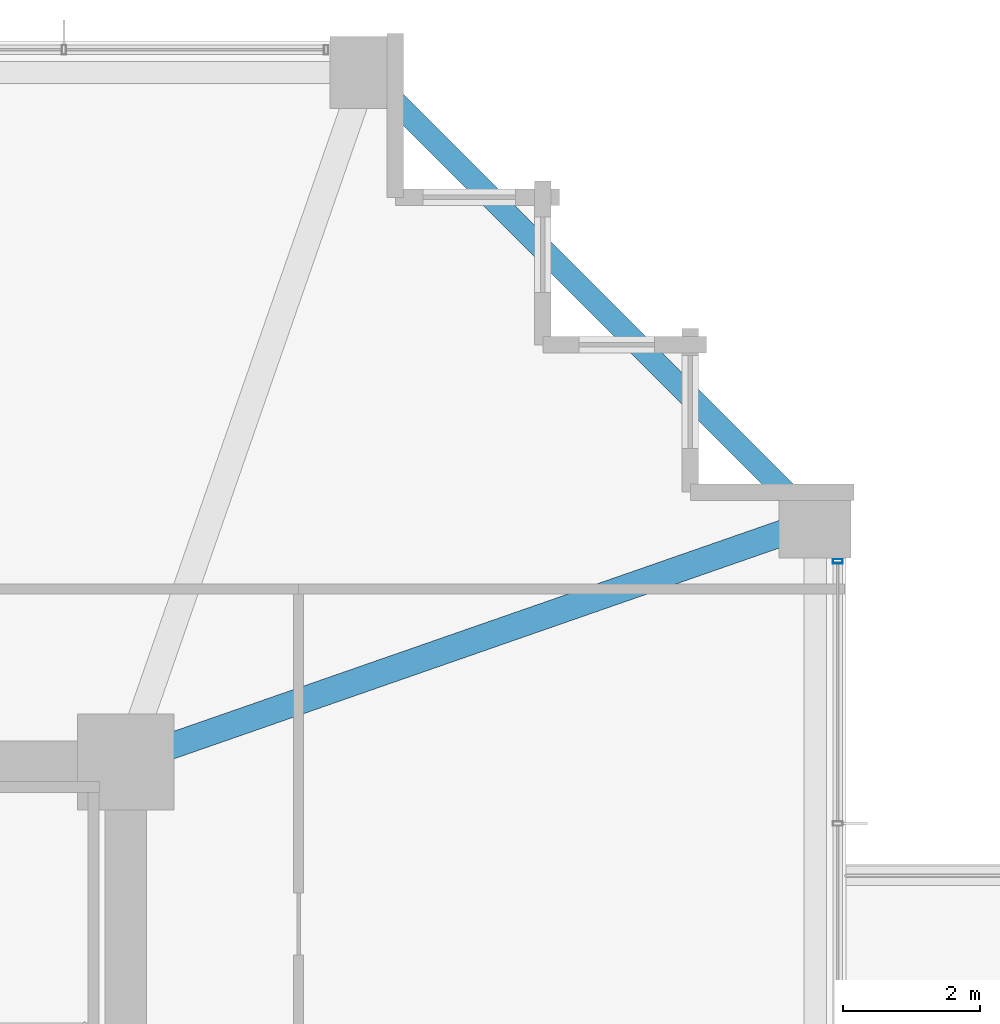
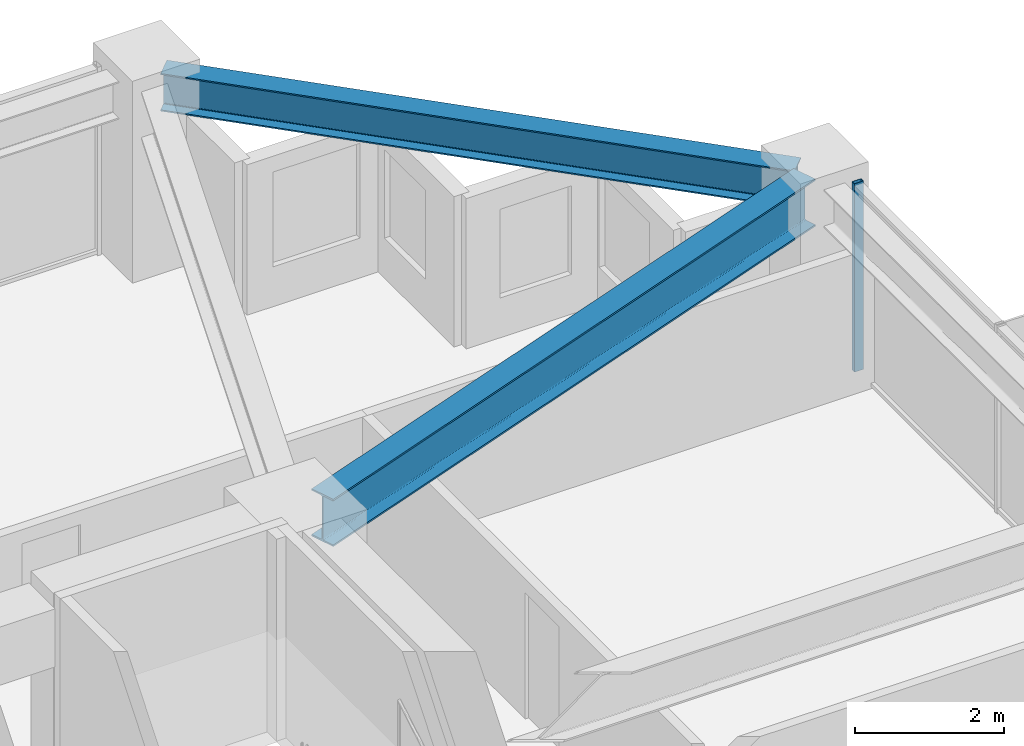
# One storey, part 23 of 36: 2 beams, 1 member, 1 element without a shape of its own.
"""IFC4 building model written with IfcOpenShell, lengths in metres."""

import ifcopenshell
import ifcopenshell.guid

model = None  # the IFC model being written
_history = None  # IfcOwnerHistory: only IFC2X3 demands one
_inside = {}  # id of a spatial element -> (the spatial element, [elements in it])
_under = {}  # id of a project, library or spatial element -> (it, [spatial elements below it])
_declared = {}  # id of a project -> (the project, [libraries it declares])
_typed = {}  # id of a type object -> (the type object, [elements of that type])
_made_of = {}  # id of a material, layer set ... -> (it, [elements and type objects made of it])


def new_model(schema):
    """Start an empty IFC model of exactly this schema.

    Asked for "IFC4X3", IfcOpenShell would pick the latest addendum, in which some entities
    have other attributes; the version numbers below select the first issue.
    IFC2X3 requires an IfcOwnerHistory on every rooted entity: one is made here for all.
    """
    global model, _history
    if schema == "IFC4X3":
        model = ifcopenshell.file(schema_version=(4, 3, 0, 0))
    else:
        model = ifcopenshell.file(schema=schema)
    _inside.clear()
    _under.clear()
    _declared.clear()
    _typed.clear()
    _made_of.clear()
    _history = None
    if model.schema == "IFC2X3":
        org = make("IfcOrganization", Name="unknown")
        user = make(
            "IfcPersonAndOrganization",
            ThePerson=make("IfcPerson", FamilyName="unknown"),
            TheOrganization=org,
        )
        app = make(
            "IfcApplication",
            ApplicationDeveloper=org,
            Version="unknown",
            ApplicationFullName="unknown",
            ApplicationIdentifier="unknown",
        )
        _history = make(
            "IfcOwnerHistory",
            OwningUser=user,
            OwningApplication=app,
            ChangeAction="ADDED",
            CreationDate=0,
        )
    return model


def make(cls, **values):
    """One entity of the class cls with the attributes given. An attribute that is None is left unset."""
    return model.create_entity(
        cls, **{name: value for name, value in values.items() if value is not None}
    )


def rooted(cls, **values):
    """An entity with a GlobalId (a new one), such as an element, a storey or a relation."""
    return make(cls, GlobalId=ifcopenshell.guid.new(), OwnerHistory=_history, **values)


def si_unit(unit_type, name, prefix=None):
    """IfcSIUnit, for example si_unit("LENGTHUNIT", "METRE", prefix="MILLI")."""
    return make("IfcSIUnit", UnitType=unit_type, Prefix=prefix, Name=name)


def assignment(units):
    """IfcUnitAssignment: the units of a project."""
    return None if units is None else make("IfcUnitAssignment", Units=units)


def point(xyz):
    """IfcCartesianPoint."""
    return None if xyz is None else make("IfcCartesianPoint", Coordinates=xyz)


def direction(xyz):
    """IfcDirection."""
    return None if xyz is None else make("IfcDirection", DirectionRatios=xyz)


def frame(location, z_axis=None, x_axis=None):
    """IfcAxis2Placement3D, a coordinate frame: its origin and axes. An axis left out is left unset."""
    return make(
        "IfcAxis2Placement3D",
        Location=point(location),
        Axis=direction(z_axis),
        RefDirection=direction(x_axis),
    )


def frame_2d(location, x_axis=None):
    """IfcAxis2Placement2D, a coordinate frame in the plane: its origin and x axis."""
    return make(
        "IfcAxis2Placement2D", Location=point(location), RefDirection=direction(x_axis)
    )


def origin():
    """The frame at (0, 0, 0) with its axes left unset."""
    return frame((0.0, 0.0, 0.0))


def origin_2d():
    """The frame at (0, 0) in the plane with its x axis left unset."""
    return frame_2d((0.0, 0.0))


def place(relative_to, where):
    """IfcLocalPlacement: puts the frame where relative to a parent placement (None: the world)."""
    return make(
        "IfcLocalPlacement", PlacementRelTo=relative_to, RelativePlacement=where
    )


def context(
    kind, dimensions, precision=None, world=None, true_north=None, identifier=None
):
    """IfcGeometricRepresentationContext, for example the 3D "Model" context."""
    return make(
        "IfcGeometricRepresentationContext",
        ContextIdentifier=identifier,
        ContextType=kind,
        CoordinateSpaceDimension=dimensions,
        Precision=precision,
        WorldCoordinateSystem=world,
        TrueNorth=true_north,
    )


def subcontext(parent, identifier, kind, view, scale=None):
    """IfcGeometricRepresentationSubContext, for example "Body" below "Model"."""
    return make(
        "IfcGeometricRepresentationSubContext",
        ContextIdentifier=identifier,
        ContextType=kind,
        ParentContext=parent,
        TargetScale=scale,
        TargetView=view,
    )


def project(units=None, contexts=None):
    """IfcProject with its units and contexts."""
    return rooted(
        "IfcProject",
        Name="project",
        RepresentationContexts=contexts,
        UnitsInContext=assignment(units),
    )


def spatial(cls, under=None, at=None, **own):
    """A site, building, storey or space (cls), placed at a placement, below another one or the project."""
    s = rooted(cls, ObjectPlacement=at, **own)
    if under is not None:
        _under.setdefault(under.id(), (under, []))[1].append(s)
    return s


def profile(cls, at=None, kind="AREA", **sizes):
    """A parametric profile (cls). Its sizes go by their IFC names, for example OverallWidth=200.0."""
    return make(cls, ProfileType=kind, Position=at, **sizes)


def hollow_rectangle(**sizes):
    """IfcRectangleHollowProfileDef."""
    return profile("IfcRectangleHollowProfileDef", **sizes)


def i_section(**sizes):
    """IfcIShapeProfileDef."""
    return profile("IfcIShapeProfileDef", **sizes)


def extrude(swept, where, along, depth):
    """IfcExtrudedAreaSolid: the profile swept, set in the frame where, extruded along a direction by depth."""
    return make(
        "IfcExtrudedAreaSolid",
        SweptArea=swept,
        Position=where,
        ExtrudedDirection=direction(along),
        Depth=depth,
    )


def shape(context_of_items, identifier, shape_type, items):
    """IfcShapeRepresentation: the items that make up one representation, for example the "Body"."""
    return make(
        "IfcShapeRepresentation",
        ContextOfItems=context_of_items,
        RepresentationIdentifier=identifier,
        RepresentationType=shape_type,
        Items=items,
    )


def material(Name=None, Category=None):
    """IfcMaterial."""
    return make("IfcMaterial", Name=Name, Category=Category)


def material_profile(
    of_material, cross_section, Name=None, Category=None, Priority=None
):
    """IfcMaterialProfile: a cross section and its material."""
    return make(
        "IfcMaterialProfile",
        Name=Name,
        Material=of_material,
        Profile=cross_section,
        Priority=Priority,
        Category=Category,
    )


def profile_set(profiles, Name=None, composite=None):
    """IfcMaterialProfileSet."""
    return make(
        "IfcMaterialProfileSet",
        Name=Name,
        MaterialProfiles=profiles,
        CompositeProfile=composite,
    )


def made_of(thing, what):
    """Note that an element or type object is made of a material, layer set ...; save() writes the relation."""
    if what is not None:
        _made_of.setdefault(what.id(), (what, []))[1].append(thing)
    return thing


def type_object(cls, material=None, **own):
    """A type object (cls), such as IfcWallType, which elements share."""
    return made_of(rooted(cls, **own), material)


def element(
    cls,
    number,
    at=None,
    inside=None,
    cuts=None,
    type_object=None,
    material=None,
    context=None,
    identifier="Body",
    shape_type=None,
    held_by="IfcProductDefinitionShape",
    body=None,
    shapes=None,
    **own,
):
    """One element of the class cls, such as IfcWall. Its Tag is "e" and its number.

    at: its placement. inside: the storey or other place that contains it. cuts: it is an
    opening in that element (IfcRelVoidsElement). A single representation is given by context,
    identifier, shape_type and body (its items); several are given by shapes. held_by: the class
    of the entity that holds the representations. save() writes the other relations.
    """
    e = rooted(cls, Tag="e%d" % number, ObjectPlacement=at, **own)
    if body is not None:
        shapes = [shape(context, identifier, shape_type, body)]
    if shapes is not None:
        e.Representation = make(held_by, Representations=shapes)
    if inside is not None:
        _inside.setdefault(inside.id(), (inside, []))[1].append(e)
    if cuts is not None:
        rooted(
            "IfcRelVoidsElement", RelatingBuildingElement=cuts, RelatedOpeningElement=e
        )
    if type_object is not None:
        _typed.setdefault(type_object.id(), (type_object, []))[1].append(e)
    return made_of(e, material)


def aggregate(whole, parts):
    """IfcRelAggregates: a whole, such as a stair, and the parts it consists of."""
    return rooted("IfcRelAggregates", RelatingObject=whole, RelatedObjects=parts)


def save(model, path):
    """Write the relations noted so far, then the file.

    IfcRelAggregates (storeys below a building ...), IfcRelContainedInSpatialStructure (elements
    in a storey), IfcRelDefinesByType, IfcRelAssociatesMaterial and IfcRelDeclares: one each for
    every whole, place, type object, material and project.
    """
    for whole, parts in _under.values():
        aggregate(whole, parts)
    for where, things in _inside.values():
        rooted(
            "IfcRelContainedInSpatialStructure",
            RelatedElements=things,
            RelatingStructure=where,
        )
    for kind, things in _typed.values():
        rooted("IfcRelDefinesByType", RelatedObjects=things, RelatingType=kind)
    for what, things in _made_of.values():
        rooted("IfcRelAssociatesMaterial", RelatedObjects=things, RelatingMaterial=what)
    for by, libraries in _declared.values():
        rooted("IfcRelDeclares", RelatingContext=by, RelatedDefinitions=libraries)
    model.write(path)


model = new_model("IFC4")

# Units and contexts
model_context = context("Model", 3, precision=1e-05, world=origin(), true_north=direction((0.0, 1.0)))
body_context = subcontext(model_context, "Body", "Model", "MODEL_VIEW")
ifc_project = project(units=[si_unit("LENGTHUNIT", "METRE"), si_unit("AREAUNIT", "SQUARE_METRE"), si_unit("VOLUMEUNIT", "CUBIC_METRE"), si_unit("PLANEANGLEUNIT", "RADIAN"), si_unit("MASSUNIT", "GRAM", prefix="KILO")], contexts=[model_context])

# Site, building, storey
site_placement = place(None, origin())
site = spatial("IfcSite", under=ifc_project, at=site_placement, CompositionType="ELEMENT")
building_placement = place(site_placement, origin())
building = spatial("IfcBuilding", under=site, at=building_placement, Name="Kolvaren Belvedere", CompositionType="ELEMENT")
storey_placement = place(building_placement, frame((0.0, 0.0, 88.699951171875)))
storey = spatial("IfcBuildingStorey", under=building, at=storey_placement, Name="L25", CompositionType="ELEMENT", Elevation=88.699951171875)

# Beams
ifc_material_1 = material(Name="Structural steel ASTM A992 Grade 50", Category="steel")
ifc_material_profile_1 = material_profile(ifc_material_1, i_section(OverallWidth=0.381103515625, OverallDepth=0.77294921875, WebThickness=0.0166015625, FlangeThickness=0.027099609375, FilletRadius=0.02392578125, at=origin_2d()), Name="W30X173")
ifc_profile_set_1 = profile_set([ifc_material_profile_1], Name="Structural steel ASTM A992 Grade 50")
beam_type_1 = type_object("IfcBeamType", Name="BM-GIRD-W30X173", PredefinedType="BEAM", material=ifc_profile_set_1)
beam_1_placement = place(storey_placement, frame((10.41943359375, 10.080810546875, 2.693603515625), z_axis=(0.944371408538, 0.328880894453, 0.0), x_axis=(-0.328880894453, 0.944371408538, 0.0)))
element("IfcBeam", 1, at=beam_1_placement, inside=storey, type_object=beam_type_1, Name="L25 Corner Core-to-Perimeter Girder CC3-E4", PredefinedType="BEAM", context=body_context, shape_type="SweptSolid", body=[
    extrude(i_section(OverallWidth=0.381103515625, OverallDepth=0.77294921875, WebThickness=0.0166015625, FlangeThickness=0.027099609375, FilletRadius=0.02392578125, at=origin_2d()), origin(), (0.0, 0.0, 1.0), 9.882080078125),
])
ifc_material_2 = material(Name="Structural steel ASTM A992 Grade 50", Category="steel")
ifc_material_profile_2 = material_profile(ifc_material_2, i_section(OverallWidth=0.324951171875, OverallDepth=0.615966796875, WebThickness=0.013916015625, FlangeThickness=0.021484375, FilletRadius=0.02001953125, at=origin_2d()), Name="W24X117")
ifc_profile_set_2 = profile_set([ifc_material_profile_2], Name="Structural steel ASTM A992 Grade 50")
beam_type_2 = type_object("IfcBeamType", Name="BM-SPAN-W24X117", PredefinedType="SPANDREL", material=ifc_profile_set_2)
beam_2_placement = place(storey_placement, frame((19.782958984375, 13.567138671875, 2.77197265625), z_axis=(-0.707106781187, 0.707106781187, 0.0), x_axis=(-0.707106781187, -0.707106781187, 0.0)))
element("IfcBeam", 2, at=beam_2_placement, inside=storey, type_object=beam_type_2, Name="L25 Perimeter Spandrel E4-N4", PredefinedType="SPANDREL", context=body_context, shape_type="SweptSolid", body=[
    extrude(i_section(OverallWidth=0.324951171875, OverallDepth=0.615966796875, WebThickness=0.013916015625, FlangeThickness=0.021484375, FilletRadius=0.02001953125, at=origin_2d()), origin(), (0.0, 0.0, 1.0), 8.79052734375),
])

# Curtain wall, member
ifc_material_3 = material(Name="Anodised pale-metal aluminium AA 6063-T6", Category="aluminium")
curtain_wall_type = type_object("IfcCurtainWallType", Name="CW-Z2-MID", PredefinedType="NOTDEFINED", material=ifc_material_3)
curtain_wall_placement = place(storey_placement, origin())
curtain_wall = element("IfcCurtainWall", 3, at=curtain_wall_placement, inside=storey, type_object=curtain_wall_type, Name="L25 Unitised Curtain Wall FCW-L25-E1-B1", PredefinedType="NOTDEFINED")
ifc_material_4 = material(Name="Anodised pale-metal aluminium AA 6063-T6", Category="aluminium")
ifc_material_profile_3 = material_profile(ifc_material_4, hollow_rectangle(XDim=0.06494140625, YDim=0.139892578125, WallThickness=0.00390625, at=origin_2d()), Name="ALU-MUL-140X65")
ifc_profile_set_3 = profile_set([ifc_material_profile_3], Name="Anodised pale-metal aluminium AA 6063-T6")
member_type = type_object("IfcMemberType", Name="CW-MUL-140", PredefinedType="MULLION", material=ifc_profile_set_3)
member_placement = place(storey_placement, frame((20.280029296875, 12.822509765625, 0.0), z_axis=(0.0, 0.0, 1.0), x_axis=(0.0, 1.0, 0.0)))
member = element("IfcMember", 4, at=member_placement, type_object=member_type, Name="FCW-L25-E1-B1 Unitised Mullion 1", PredefinedType="MULLION", context=body_context, shape_type="SweptSolid", body=[
    extrude(hollow_rectangle(XDim=0.06494140625, YDim=0.139892578125, WallThickness=0.00390625, at=origin_2d()), origin(), (0.0, 0.0, 1.0), 3.080078125),
])
aggregate(curtain_wall, [member])

save(model, "model.ifc")
